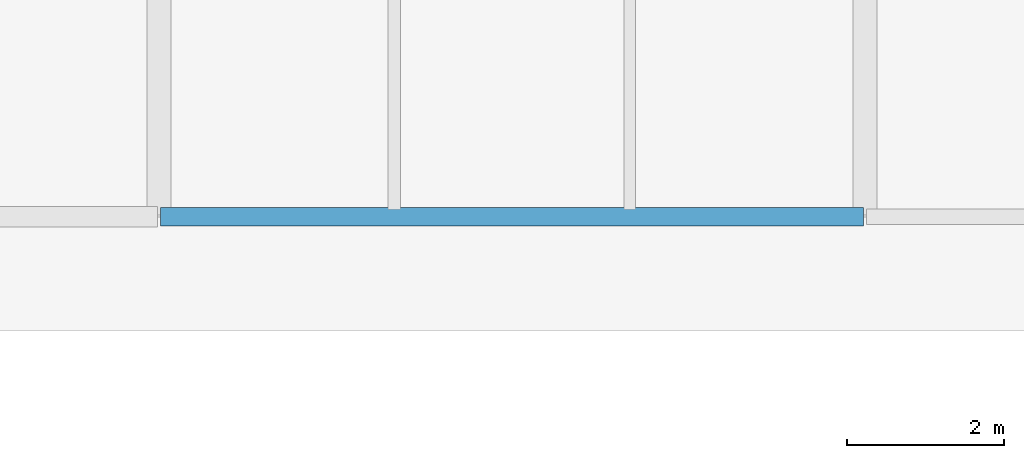
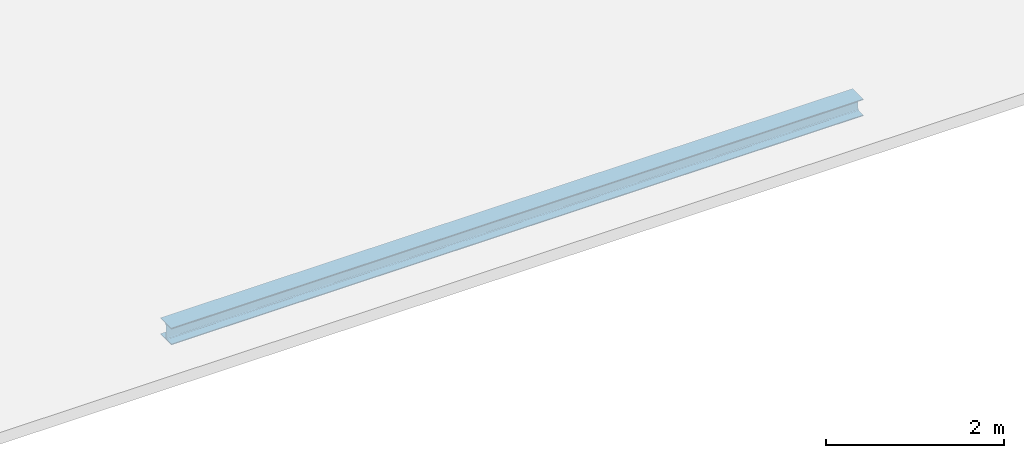
# One storey, part 68 of 211: 1 beam.
"""IFC4 building model written with IfcOpenShell, lengths in metres."""

from ifc_helpers import new_model, si_unit, direction, frame, origin, origin_2d, place, context, subcontext, project, spatial, i_section, extrude, material, material_profile, profile_set, type_object, element, save


model = new_model("IFC4")

# Units and contexts
model_context = context("Model", 3, precision=1e-05, world=origin(), true_north=direction((0.0, 1.0)))
body_context = subcontext(model_context, "Body", "Model", "MODEL_VIEW")
ifc_project = project(units=[si_unit("LENGTHUNIT", "METRE"), si_unit("AREAUNIT", "SQUARE_METRE"), si_unit("VOLUMEUNIT", "CUBIC_METRE"), si_unit("PLANEANGLEUNIT", "RADIAN"), si_unit("MASSUNIT", "GRAM", prefix="KILO")], contexts=[model_context])

# Site, building, storey
site_placement = place(None, origin())
site = spatial("IfcSite", under=ifc_project, at=site_placement, CompositionType="ELEMENT")
building_placement = place(site_placement, origin())
building = spatial("IfcBuilding", under=site, at=building_placement, Name="Barlavento Convention Centre", CompositionType="ELEMENT")
storey_placement = place(building_placement, frame((0.0, 0.0, 6.0)))
storey = spatial("IfcBuildingStorey", under=building, at=storey_placement, Name="L01", CompositionType="ELEMENT", Elevation=6.0)

# Beam
ifc_material = material(Name="Steel S355", Category="steel")
ifc_material_profile = material_profile(ifc_material, i_section(OverallWidth=0.239990234375, OverallDepth=0.22998046875, WebThickness=0.007568359375, FlangeThickness=0.011962890625, FilletRadius=0.02099609375, at=origin_2d()), Name="HEA 240")
ifc_profile_set = profile_set([ifc_material_profile], Name="Steel S355")
beam_type = type_object("IfcBeamType", Name="STR-BM-SPN-HEA240", PredefinedType="SPANDREL", material=ifc_profile_set)
beam_placement = place(storey_placement, frame((108.02001953125, 36.0, -0.3798828125), z_axis=(1.0, 0.0, 0.0), x_axis=(0.0, 1.0, 0.0)))
element("IfcBeam", 1, at=beam_placement, inside=storey, type_object=beam_type, Name="L01 primary girder SP05", PredefinedType="SPANDREL", context=body_context, shape_type="SweptSolid", body=[
    extrude(i_section(OverallWidth=0.239990234375, OverallDepth=0.22998046875, WebThickness=0.007568359375, FlangeThickness=0.011962890625, FilletRadius=0.02099609375, at=origin_2d()), origin(), (0.0, 0.0, 1.0), 8.9599609375),
])

save(model, "model.ifc")
